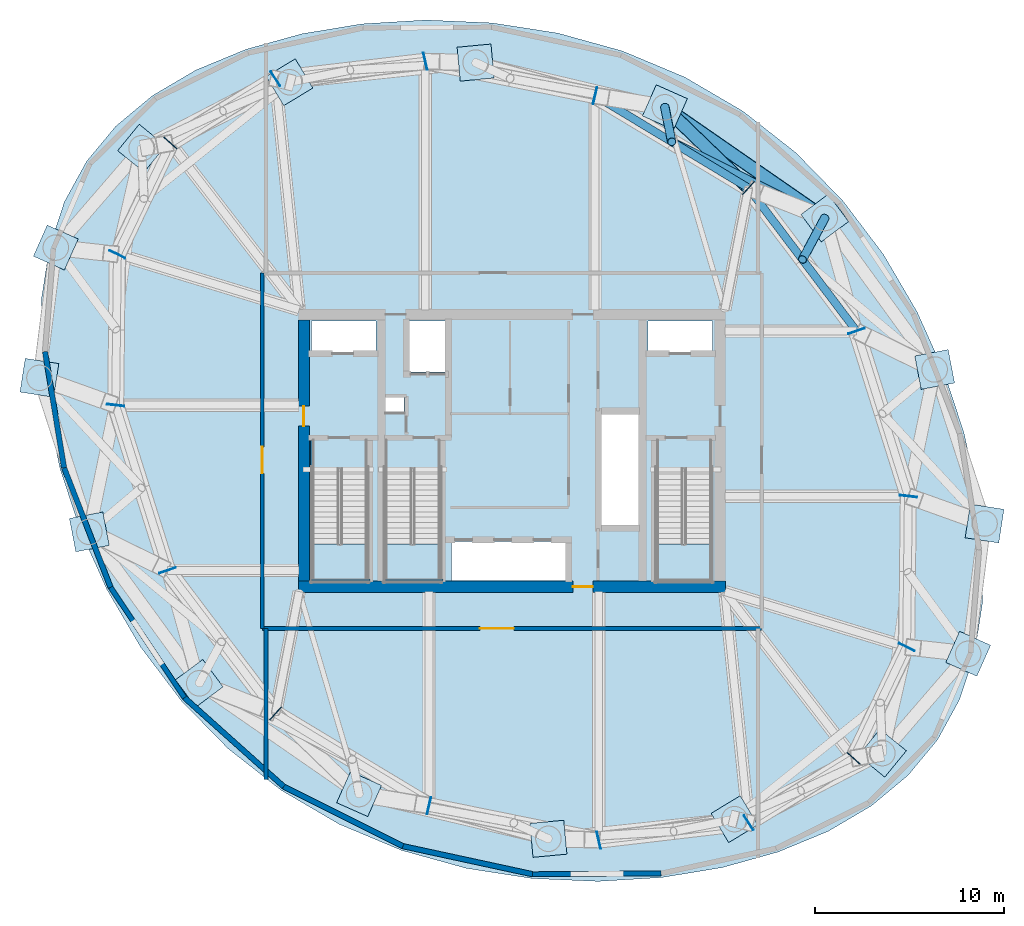
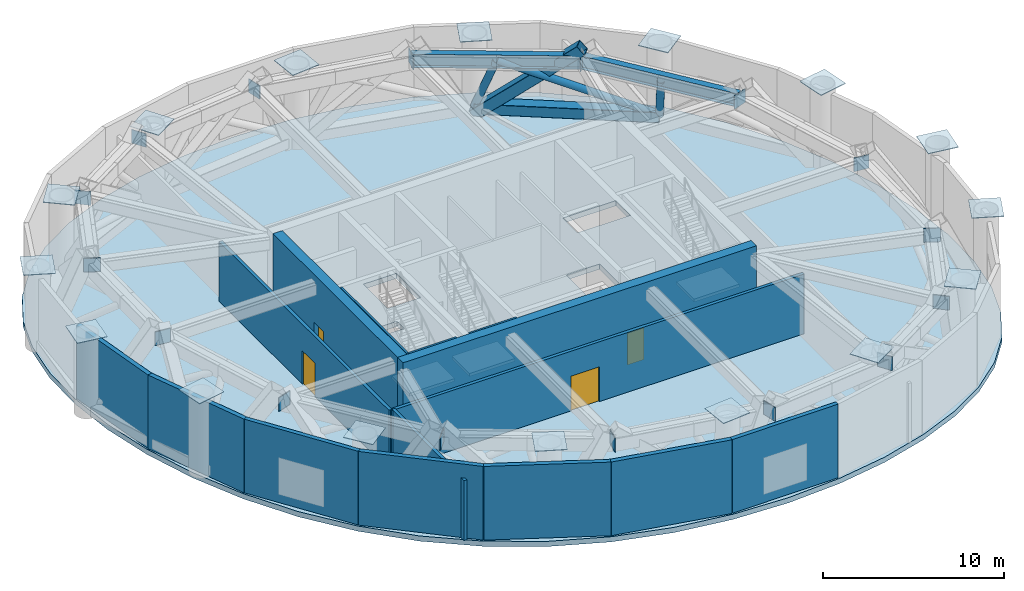
# One storey, part 4 of 10: 32 plates, 15 walls, 5 members, 4 doors, 4 slabs, 2 beams, 4 openings, 3 elements without a shape of their own.
"""IFC4 building model written with IfcOpenShell, lengths in metres."""

from ifc_helpers import new_model, si_unit, direction, frame, frame_2d, origin, origin_2d, place, context, subcontext, project, spatial, polyline, rectangle, hollow_rectangle, hollow_circle, i_section, outline, extrude, material, layer, layer_set, material_profile, profile_set, type_object, element, fill, aggregate, save


model = new_model("IFC4")

# Units and contexts
model_context = context("Model", 3, precision=1e-05, world=origin(), true_north=direction((0.0, 1.0)))
body_context = subcontext(model_context, "Body", "Model", "MODEL_VIEW")
ifc_project = project(units=[si_unit("LENGTHUNIT", "METRE"), si_unit("AREAUNIT", "SQUARE_METRE"), si_unit("VOLUMEUNIT", "CUBIC_METRE"), si_unit("PLANEANGLEUNIT", "RADIAN"), si_unit("MASSUNIT", "GRAM", prefix="KILO")], contexts=[model_context])

# Site, building, storey
site_placement = place(None, origin())
site = spatial("IfcSite", under=ifc_project, at=site_placement, CompositionType="ELEMENT")
building_placement = place(site_placement, origin())
building = spatial("IfcBuilding", under=site, at=building_placement, Name="Bramvorn Convention Spire", CompositionType="ELEMENT")
storey_placement = place(building_placement, frame((0.0, 0.0, 165.800048828125)))
storey = spatial("IfcBuildingStorey", under=building, at=storey_placement, Name="L42", CompositionType="ELEMENT", Elevation=165.800048828125)

# Beams
ifc_material_1 = material(Name="Steel CSA G40.21 Grade 350 (350W)", Category="steel")
ifc_material_profile_1 = material_profile(ifc_material_1, i_section(OverallWidth=0.41796875, OverallDepth=0.912109375, WebThickness=0.019287109375, FlangeThickness=0.031982421875, FilletRadius=0.02392578125, at=origin_2d()))
ifc_profile_set_1 = profile_set([ifc_material_profile_1], Name="Steel CSA G40.21 Grade 350 (350W) - W920X342")
beam_type = type_object("IfcBeamType", Name="BM-W920X342", PredefinedType="BEAM", material=ifc_profile_set_1)
for number, where, z_axis, x_axis, name in (
    (1, (56.21044921875, 32.327392578125, 4.52392578125), (-0.602718581414, 0.797953827999, 0.0), (-0.797953827999, -0.602718581414, 0.0), "L42 step-in transfer ring girder 04"),
    (2, (50.501953125, 39.885009765625, 4.52392578125), (-0.856581795745, 0.516011266543, 0.0), (-0.516011266543, -0.856581795745, 0.0), "L42 step-in transfer ring girder 05"),
):
    element("IfcBeam", number, at=place(storey_placement, frame(where, z_axis=z_axis, x_axis=x_axis)), inside=storey, type_object=beam_type, Name=name, PredefinedType="BEAM", context=body_context, shape_type="SweptSolid", body=[
        extrude(i_section(OverallWidth=0.41796875, OverallDepth=0.912109375, WebThickness=0.019287109375, FlangeThickness=0.031982421875, FilletRadius=0.02392578125, at=origin_2d()), origin(), (0.0, 0.0, 1.0), 9.47119140625),
    ])

# Members
ifc_material_profile_2 = material_profile(ifc_material_1, hollow_rectangle(XDim=0.699951171875, YDim=0.699951171875, WallThickness=0.034912109375, InnerFilletRadius=0.0009765625, OuterFilletRadius=0.034912109375, at=origin_2d()))
ifc_profile_set_2 = profile_set([ifc_material_profile_2], Name="Steel CSA G40.21 Grade 350 (350W) - BOX700X700X35")
member_type_1 = type_object("IfcMemberType", Name="MBR-BOX700X700X35", PredefinedType="CHORD", material=ifc_profile_set_2)
member_1_placement = place(storey_placement, frame((54.534912109375, 38.299072265625, 0.449951171875), z_axis=(-0.822033166673, 0.569439613032, 0.0), x_axis=(-0.569439613032, -0.822033166673, 0.0)))
element("IfcMember", 3, at=member_1_placement, inside=storey, type_object=member_type_1, Name="L42 belt truss bottom chord 4", PredefinedType="CHORD", context=body_context, shape_type="SweptSolid", body=[
    extrude(hollow_rectangle(XDim=0.699951171875, YDim=0.699951171875, WallThickness=0.034912109375, InnerFilletRadius=0.0009765625, OuterFilletRadius=0.034912109375, at=origin_2d()), origin(), (0.0, 0.0, 1.0), 10.281982421875),
])
member_2_placement = place(storey_placement, frame((46.082763671875, 44.154052734375, 0.0), z_axis=(0.540241156195, -0.521885910018, 0.66013225196), x_axis=(0.694783108655, 0.719219321158, 0.0)))
element("IfcMember", 4, at=member_2_placement, inside=storey, type_object=member_type_1, Name="L42 step-in secondary transfer strut MC05", PredefinedType="CHORD", context=body_context, shape_type="SweptSolid", body=[
    extrude(hollow_rectangle(XDim=0.699951171875, YDim=0.699951171875, WallThickness=0.034912109375, InnerFilletRadius=0.0009765625, OuterFilletRadius=0.034912109375, at=origin_2d()), origin(), (0.0, 0.0, 1.0), 8.179931640625),
])
ifc_material_profile_3 = material_profile(ifc_material_1, hollow_circle(Radius=0.228515625, WallThickness=0.01904296875, at=origin_2d()))
ifc_profile_set_3 = profile_set([ifc_material_profile_3], Name="Steel CSA G40.21 Grade 350 (350W) - CHS457X19")
member_type_2 = type_object("IfcMemberType", Name="MBR-CHS457X19", PredefinedType="BRACE", material=ifc_profile_set_3)
member_3_placement = place(storey_placement, frame((54.534912109375, 38.299072265625, 0.449951171875), z_axis=(-0.246610160592, -0.458792970678, 0.853634839231), x_axis=(0.880817240295, -0.473456427983, 0.0)))
element("IfcMember", 5, at=member_3_placement, inside=storey, type_object=member_type_2, Name="L42 ring belt diagonal 4B", PredefinedType="BRACE", context=body_context, shape_type="SweptSolid", body=[
    extrude(hollow_circle(Radius=0.228515625, WallThickness=0.01904296875, at=origin_2d()), origin(), (0.0, 0.0, 1.0), 4.779541015625),
])
member_4_placement = place(storey_placement, frame((54.534912109375, 38.299072265625, 0.449951171875), z_axis=(-0.815809514839, 0.406378223046, 0.411474878131), x_axis=(-0.445873177917, -0.895096145235, 0.0)))
element("IfcMember", 6, at=member_4_placement, inside=storey, type_object=member_type_2, Name="L42 ring belt diagonal 5A", PredefinedType="BRACE", context=body_context, shape_type="SweptSolid", body=[
    extrude(hollow_circle(Radius=0.228515625, WallThickness=0.01904296875, at=origin_2d()), origin(), (0.0, 0.0, 1.0), 9.915771484375),
])
member_5_placement = place(storey_placement, frame((46.082763671875, 44.154052734375, 0.449951171875), z_axis=(0.080899020883, -0.407053821763, 0.909814560561), x_axis=(0.980817088156, 0.194930345459, 0.0)))
element("IfcMember", 7, at=member_5_placement, inside=storey, type_object=member_type_2, Name="L42 ring belt diagonal 5B", PredefinedType="BRACE", context=body_context, shape_type="SweptSolid", body=[
    extrude(hollow_circle(Radius=0.228515625, WallThickness=0.01904296875, at=origin_2d()), origin(), (0.0, 0.0, 1.0), 4.484619140625),
])

# Plates
ifc_layer_1 = layer(ifc_material_1, 0.044921875)
ifc_layer_set_1 = layer_set([ifc_layer_1], Name="Steel CSA G40.21 Grade 350 (350W) - PLT-NODE-CAP-45")
plate_type_1 = type_object("IfcPlateType", Name="PLT-NODE-CAP-45", PredefinedType="SHEET", material=ifc_layer_set_1)
for number, where, z_axis, x_axis, name in (
    (8, (62.11767578125, 15.26220703125, 5.39990234375), (0.0, 0.0, 1.0), (0.913546123951, -0.40673514652, 0.0), "L42 CFT mega-column MC01 transition cap plate"),
    (9, (62.983642578125, 22.148193359375, 5.39990234375), (0.0, 0.0, 1.0), (0.988323766562, -0.152368410274, 0.0), "L42 CFT mega-column MC02 transition cap plate"),
    (10, (60.345703125, 30.293212890625, 5.39990234375), (0.0, 0.0, 1.0), (0.982040253969, 0.188671512384, 0.0), "L42 CFT mega-column MC03 transition cap plate"),
    (11, (54.534912109375, 38.299072265625, 5.39990234375), (0.0, 0.0, 1.0), (0.802371890462, 0.596824387401, 0.0), "L42 CFT mega-column MC04 transition cap plate"),
    (12, (46.082763671875, 44.154052734375, 5.39990234375), (0.0, 0.0, 1.0), (0.406737417797, 0.913545112714, 0.0), "L42 CFT mega-column MC05 transition cap plate"),
    (13, (36.075927734375, 46.517333984375, 5.39990234375), (0.0, 0.0, 1.0), (-0.093364459735, 0.995631999113, 0.0), "L42 CFT mega-column MC06 transition cap plate"),
    (14, (26.23828125, 45.478759765625, 5.39990234375), (0.0, 0.0, 1.0), (-0.516903736203, 0.856043531311, 0.0), "L42 CFT mega-column MC07 transition cap plate"),
    (15, (18.420166015625, 41.9892578125, 5.39990234375), (0.0, 0.0, 1.0), (-0.774550926347, 0.632511551274, 0.0), "L42 CFT mega-column MC08 transition cap plate"),
    (16, (13.88232421875, 36.73779296875, 5.39990234375), (0.0, 0.0, 1.0), (-0.913546123951, 0.40673514652, 0.0), "L42 CFT mega-column MC09 transition cap plate"),
    (17, (13.016357421875, 29.851806640625, 5.39990234375), (0.0, 0.0, 1.0), (-0.988323766562, 0.152368410274, 0.0), "L42 CFT mega-column MC10 transition cap plate"),
    (18, (15.654296875, 21.706787109375, 5.39990234375), (0.0, 0.0, 1.0), (-0.982040253969, -0.188671512384, 0.0), "L42 CFT mega-column MC11 transition cap plate"),
    (19, (21.465087890625, 13.700927734375, 5.39990234375), (0.0, 0.0, 1.0), (-0.802371890462, -0.596824387401, 0.0), "L42 CFT mega-column MC12 transition cap plate"),
    (20, (29.917236328125, 7.845947265625, 5.39990234375), (0.0, 0.0, 1.0), (-0.406737417797, -0.913545112714, 0.0), "L42 CFT mega-column MC13 transition cap plate"),
    (21, (39.924072265625, 5.482666015625, 5.39990234375), (0.0, 0.0, 1.0), (0.093364459735, -0.995631999113, 0.0), "L42 CFT mega-column MC14 transition cap plate"),
    (22, (49.76171875, 6.521240234375, 5.39990234375), (0.0, 0.0, 1.0), (0.516903736203, -0.856043531311, 0.0), "L42 CFT mega-column MC15 transition cap plate"),
    (23, (57.579833984375, 10.0107421875, 5.39990234375), (0.0, 0.0, 1.0), (0.774550926347, -0.632511551274, 0.0), "L42 CFT mega-column MC16 transition cap plate"),
):
    element("IfcPlate", number, at=place(storey_placement, frame(where, z_axis=z_axis, x_axis=x_axis)), inside=storey, type_object=plate_type_1, Name=name, PredefinedType="SHEET", context=body_context, shape_type="SweptSolid", body=[
        extrude(rectangle(XDim=1.800048828125, YDim=1.800048828125, at=origin_2d()), origin(), (0.0, 0.0, 1.0), 0.044921875),
    ])
ifc_layer_2 = layer(ifc_material_1, 0.044921875)
ifc_layer_set_2 = layer_set([ifc_layer_2], Name="Steel CSA G40.21 Grade 350 (350W) - PLT-TRUSS-CAP-45")
plate_type_2 = type_object("IfcPlateType", Name="PLT-TRUSS-CAP-45", PredefinedType="SHEET", material=ifc_layer_set_2)
for number, where, z_axis, x_axis, name in (
    (24, (56.058349609375, 9.739990234375, 4.070068359375), (0.0, 0.0, 1.0), (0.743143933143, -0.669131597395, 0.0), "Truss node KN-42-01 closed end-cap plate"),
    (25, (58.863037109375, 15.619384765625, 4.070068359375), (0.0, 0.0, 1.0), (0.895301760905, -0.445460163114, 0.0), "Truss node KN-42-02 closed end-cap plate"),
    (26, (58.95458984375, 23.593505859375, 4.070068359375), (0.0, 0.0, 1.0), (0.993469530113, -0.114097733269, 0.0), "Truss node KN-42-03 closed end-cap plate"),
    (27, (56.21044921875, 32.327392578125, 4.070068359375), (0.0, 0.0, 1.0), (0.944605422038, 0.328208160558, 0.0), "Truss node KN-42-04 closed end-cap plate"),
    (28, (50.501953125, 39.885009765625, 4.070068359375), (0.0, 0.0, 1.0), (0.669130011799, 0.743145360821, 0.0), "Truss node KN-42-05 closed end-cap plate"),
    (29, (42.38916015625, 44.772216796875, 4.070068359375), (0.0, 0.0, 1.0), (0.227669544295, 0.973738454926, 0.0), "Truss node KN-42-06 closed end-cap plate"),
    (30, (33.416259765625, 46.58837890625, 4.070068359375), (0.0, 0.0, 1.0), (-0.217319987046, 0.976100416571, 0.0), "Truss node KN-42-07 closed end-cap plate"),
    (31, (25.49560546875, 45.663818359375, 4.070068359375), (0.0, 0.0, 1.0), (-0.536605844798, 0.843833020999, 0.0), "Truss node KN-42-08 closed end-cap plate"),
    (32, (19.941650390625, 42.260009765625, 4.070068359375), (0.0, 0.0, 1.0), (-0.743143933143, 0.669131597395, 0.0), "Truss node KN-42-09 closed end-cap plate"),
    (33, (17.136962890625, 36.380615234375, 4.070068359375), (0.0, 0.0, 1.0), (-0.895301760905, 0.445460163114, 0.0), "Truss node KN-42-10 closed end-cap plate"),
    (34, (17.04541015625, 28.406494140625, 4.070068359375), (0.0, 0.0, 1.0), (-0.993469530113, 0.114097733269, 0.0), "Truss node KN-42-11 closed end-cap plate"),
    (35, (19.78955078125, 19.672607421875, 4.070068359375), (0.0, 0.0, 1.0), (-0.944605422038, -0.328208160558, 0.0), "Truss node KN-42-12 closed end-cap plate"),
    (36, (25.498046875, 12.114990234375, 4.070068359375), (0.0, 0.0, 1.0), (-0.669130011799, -0.743145360821, 0.0), "Truss node KN-42-13 closed end-cap plate"),
    (37, (33.61083984375, 7.227783203125, 4.070068359375), (0.0, 0.0, 1.0), (-0.227669544295, -0.973738454926, 0.0), "Truss node KN-42-14 closed end-cap plate"),
    (38, (42.583740234375, 5.41162109375, 4.070068359375), (0.0, 0.0, 1.0), (0.217319987046, -0.976100416571, 0.0), "Truss node KN-42-15 closed end-cap plate"),
    (39, (50.50439453125, 6.336181640625, 4.070068359375), (0.0, 0.0, 1.0), (0.536605844798, -0.843833020999, 0.0), "Truss node KN-42-16 closed end-cap plate"),
):
    element("IfcPlate", number, at=place(storey_placement, frame(where, z_axis=z_axis, x_axis=x_axis)), inside=storey, type_object=plate_type_2, Name=name, PredefinedType="SHEET", context=body_context, shape_type="SweptSolid", body=[
        extrude(rectangle(XDim=0.919921875, YDim=0.044921875, at=origin_2d()), origin(), (0.0, 0.0, 1.0), 0.919921875),
    ])

# Slab
ifc_material_2 = material(Name="Concrete C50/60", Category="concrete")
ifc_layer_3 = layer(ifc_material_2, 0.35009765625)
ifc_layer_set_3 = layer_set([ifc_layer_3], Name="Concrete C50/60 - SLB-PLT-350")
slab_type_1 = type_object("IfcSlabType", Name="SLB-PLT-350", PredefinedType="FLOOR", material=ifc_layer_set_3)
slab_1_placement = place(storey_placement, frame((0.0, 0.0, -0.35009765625)))
element("IfcSlab", 40, at=slab_1_placement, inside=storey, type_object=slab_type_1, Name="L42 tower floor slab", PredefinedType="FLOOR", context=body_context, shape_type="SweptSolid", body=[
    extrude(outline(polyline([(60.49658203125, 10.711181640625), (61.664794921875, 12.844482421875), (62.45166015625, 15.23681640625), (62.863037109375, 17.877197265625), (62.905517578125, 20.7392578125), (62.5830078125, 23.781494140625), (61.896240234375, 26.9443359375), (60.843994140625, 30.15478515625), (59.423828125, 33.32861328125), (57.637451171875, 36.376953125), (55.491455078125, 39.21337890625), (53.003173828125, 41.76025390625), (50.20166015625, 43.954345703125), (47.13037109375, 45.751220703125), (43.846435546875, 47.12744140625), (40.419189453125, 48.078369140625), (36.92724609375, 48.6171875), (33.45361328125, 48.769287109375), (30.081298828125, 48.56591796875), (26.8876953125, 48.0400390625), (23.9404296875, 47.219970703125), (21.294921875, 46.126953125), (18.991455078125, 44.772216796875), (17.056640625, 43.16015625), (15.50341796875, 41.288818359375), (14.335205078125, 39.155517578125), (13.54833984375, 36.76318359375), (13.136962890625, 34.122802734375), (13.094482421875, 31.2607421875), (13.4169921875, 28.218505859375), (14.103759765625, 25.0556640625), (15.156005859375, 21.84521484375), (16.576171875, 18.67138671875), (18.362548828125, 15.623046875), (20.508544921875, 12.78662109375), (22.996826171875, 10.23974609375), (25.79833984375, 8.045654296875), (28.86962890625, 6.248779296875), (32.153564453125, 4.87255859375), (35.580810546875, 3.921630859375), (39.07275390625, 3.3828125), (42.54638671875, 3.230712890625), (45.918701171875, 3.43408203125), (49.1123046875, 3.9599609375), (52.0595703125, 4.780029296875), (54.705078125, 5.873046875), (57.008544921875, 7.227783203125), (58.943359375, 8.83984375), (60.49658203125, 10.711181640625)]), holes=[polyline([(27.449951171875, 25.050048828125), (27.449951171875, 19.10009765625), (30.35009765625, 19.10009765625), (30.35009765625, 25.050048828125), (27.449951171875, 25.050048828125)]), polyline([(45.64990234375, 25.050048828125), (45.64990234375, 19.10009765625), (48.550048828125, 19.10009765625), (48.550048828125, 25.050048828125), (45.64990234375, 25.050048828125)]), polyline([(31.300048828125, 25.050048828125), (31.300048828125, 19.10009765625), (34.199951171875, 19.10009765625), (34.199951171875, 25.050048828125), (31.300048828125, 25.050048828125)]), polyline([(27.39990234375, 31.219970703125), (30.800048828125, 31.219970703125), (30.800048828125, 32.85009765625), (27.39990234375, 32.85009765625), (27.39990234375, 31.219970703125)]), polyline([(45.199951171875, 31.219970703125), (48.60009765625, 31.219970703125), (48.60009765625, 32.85009765625), (45.199951171875, 32.85009765625), (45.199951171875, 31.219970703125)]), polyline([(32.449951171875, 30.14990234375), (34.56005859375, 30.14990234375), (34.56005859375, 32.85009765625), (32.449951171875, 32.85009765625), (32.449951171875, 30.14990234375)]), polyline([(34.800048828125, 19.14990234375), (40.97998046875, 19.14990234375), (40.97998046875, 21.199951171875), (34.800048828125, 21.199951171875), (34.800048828125, 19.14990234375)]), polyline([(42.6201171875, 22.0), (44.75, 22.0), (44.75, 28.0), (42.6201171875, 28.0), (42.6201171875, 22.0)]), polyline([(31.320068359375, 28.02001953125), (32.280029296875, 28.02001953125), (32.280029296875, 28.820068359375), (31.320068359375, 28.820068359375), (31.320068359375, 28.02001953125)])]), origin(), (0.0, 0.0, 1.0), 0.35009765625),
])

# Stair, slab
ifc_material_3 = material(Name="Concrete C40/50 Precast Stair", Category="concrete")
stair_type = type_object("IfcStairType", Name="ST-TOWER-1550", PredefinedType="HALF_TURN_STAIR", material=ifc_material_3)
stair_1_placement = place(storey_placement, origin())
stair_1 = element("IfcStair", 41, at=stair_1_placement, inside=storey, type_object=stair_type, Name="L42 Protected Exit Stair ST1", PredefinedType="HALF_TURN_STAIR")
ifc_material_4 = material(Name="Concrete C40/50 Stair Landing", Category="concrete")
ifc_layer_4 = layer(ifc_material_4, 0.219970703125)
ifc_layer_set_4 = layer_set([ifc_layer_4], Name="Concrete C40/50 Stair Landing - SLB-STAIR-LANDING")
slab_type_2 = type_object("IfcSlabType", Name="SLB-STAIR-LANDING", PredefinedType="LANDING", material=ifc_layer_set_4)
slab_2_placement = place(storey_placement, frame((0.0, 0.0, 2.5)))
slab_2 = element("IfcSlab", 42, at=slab_2_placement, type_object=slab_type_2, Name="ST1 landing 1", PredefinedType="LANDING", context=body_context, shape_type="SweptSolid", body=[
    extrude(outline(polyline([(27.449951171875, 21.06005859375), (27.449951171875, 19.10009765625), (30.35009765625, 19.10009765625), (30.35009765625, 21.06005859375), (27.449951171875, 21.06005859375)])), origin(), (0.0, 0.0, 1.0), 0.199951171875),
])
aggregate(stair_1, [slab_2])

stair_2_placement = place(storey_placement, origin())
stair_2 = element("IfcStair", 43, at=stair_2_placement, inside=storey, type_object=stair_type, Name="L42 Protected Exit Stair ST2", PredefinedType="HALF_TURN_STAIR")
slab_3_placement = place(storey_placement, frame((0.0, 0.0, 2.5)))
slab_3 = element("IfcSlab", 44, at=slab_3_placement, type_object=slab_type_2, Name="ST2 landing 1", PredefinedType="LANDING", context=body_context, shape_type="SweptSolid", body=[
    extrude(outline(polyline([(45.64990234375, 21.06005859375), (45.64990234375, 19.10009765625), (48.550048828125, 19.10009765625), (48.550048828125, 21.06005859375), (45.64990234375, 21.06005859375)])), origin(), (0.0, 0.0, 1.0), 0.199951171875),
])
aggregate(stair_2, [slab_3])

stair_3_placement = place(storey_placement, origin())
stair_3 = element("IfcStair", 45, at=stair_3_placement, inside=storey, type_object=stair_type, Name="L42 Protected Exit Stair ST3", PredefinedType="HALF_TURN_STAIR")
slab_4_placement = place(storey_placement, frame((0.0, 0.0, 2.5)))
slab_4 = element("IfcSlab", 46, at=slab_4_placement, type_object=slab_type_2, Name="ST3 landing 1", PredefinedType="LANDING", context=body_context, shape_type="SweptSolid", body=[
    extrude(outline(polyline([(31.300048828125, 21.06005859375), (31.300048828125, 19.10009765625), (34.199951171875, 19.10009765625), (34.199951171875, 21.06005859375), (31.300048828125, 21.06005859375)])), origin(), (0.0, 0.0, 1.0), 0.199951171875),
])
aggregate(stair_3, [slab_4])

# Wall, opening, door
ifc_material_5 = material(Name="Concrete C60/70", Category="concrete")
ifc_layer_5 = layer(ifc_material_5, 0.60009765625)
ifc_layer_set_5 = layer_set([ifc_layer_5], Name="Concrete C60/70 - WL-CORE-600")
wall_type_1 = type_object("IfcWallType", Name="WL-CORE-600", PredefinedType="SHEAR", material=ifc_layer_set_5)
wall_1_placement = place(storey_placement, frame((26.699951171875, 18.800048828125, 0.0), z_axis=(0.0, 0.0, 1.0), x_axis=(1.0, 0.0, 0.0)))
wall_1 = element("IfcWall", 47, at=wall_1_placement, inside=storey, type_object=wall_type_1, Name="L42 South RC core shear wall", PredefinedType="SHEAR", context=body_context, shape_type="SweptSolid", body=[
    extrude(rectangle(XDim=22.60009765625, YDim=0.60009765625, at=frame_2d((11.300048828125, 0.0))), origin(), (0.0, 0.0, 1.0), 5.39990234375),
])
opening_1_placement = place(wall_1_placement, frame((14.52001953125, 0.0, 0.0)))
opening_1 = element("IfcOpeningElement", 48, at=opening_1_placement, cuts=wall_1, Name="Opening DL-105", PredefinedType="OPENING", context=body_context, shape_type="SweptSolid", body=[
    extrude(rectangle(XDim=1.050048828125, YDim=2.14990234375, at=frame_2d((0.52490234375, 1.074951171875))), frame((0.0, 0.31005859375, 0.0), z_axis=(0.0, -1.0, 0.0), x_axis=(1.0, 0.0, 0.0)), (0.0, 0.0, 1.0), 0.6201171875),
])
ifc_material_6 = material(Name="Smoke-Sealed Fire Lobby Timber-Core Door", Category="wood")
door_type_1 = type_object("IfcDoorType", Name="DR-LOBBY-1050", OperationType="NOTDEFINED", PredefinedType="DOOR", material=ifc_material_6)
door_1_placement = place(opening_1_placement, origin())
door_1 = element("IfcDoor", 49, at=door_1_placement, inside=storey, type_object=door_type_1, Name="L42 South Lift Lobby fire door", OperationType="SINGLE_SWING_RIGHT", OverallHeight=2.14990234375, OverallWidth=1.050048828125, PredefinedType="DOOR", context=body_context, shape_type="SweptSolid", body=[
    extrude(rectangle(XDim=1.050048828125, YDim=2.14990234375, at=frame_2d((0.52490234375, 1.074951171875))), frame((0.0, 0.02490234375, 0.0), z_axis=(0.0, -1.0, 0.0), x_axis=(1.0, 0.0, 0.0)), (0.0, 0.0, 1.0), 0.050048828125),
])
fill(opening_1, door_1)

wall_2_placement = place(storey_placement, frame((27.0, 19.10009765625, 0.0), z_axis=(0.0, 0.0, 1.0), x_axis=(0.0, 1.0, 0.0)))
wall_2 = element("IfcWall", 50, at=wall_2_placement, inside=storey, type_object=wall_type_1, Name="L42 West RC core shear wall", PredefinedType="SHEAR", context=body_context, shape_type="SweptSolid", body=[
    extrude(rectangle(XDim=13.7998046875, YDim=0.60009765625, at=frame_2d((6.89990234375, 0.0))), origin(), (0.0, 0.0, 1.0), 5.39990234375),
])
opening_2_placement = place(wall_2_placement, frame((8.199951171875, 0.0, 0.0)))
opening_2 = element("IfcOpeningElement", 51, at=opening_2_placement, cuts=wall_2, Name="Opening DL-105", PredefinedType="OPENING", context=body_context, shape_type="SweptSolid", body=[
    extrude(rectangle(XDim=1.050048828125, YDim=2.14990234375, at=frame_2d((0.52490234375, 1.074951171875))), frame((0.0, 0.31005859375, 0.0), z_axis=(0.0, -1.0, 0.0), x_axis=(1.0, 0.0, 0.0)), (0.0, 0.0, 1.0), 0.6201171875),
])
door_2_placement = place(opening_2_placement, origin())
door_2 = element("IfcDoor", 52, at=door_2_placement, inside=storey, type_object=door_type_1, Name="L42 West Firefighting Lobby corridor door", OperationType="SINGLE_SWING_RIGHT", OverallHeight=2.14990234375, OverallWidth=1.050048828125, PredefinedType="DOOR", context=body_context, shape_type="SweptSolid", body=[
    extrude(rectangle(XDim=1.050048828125, YDim=2.14990234375, at=frame_2d((0.52490234375, 1.074951171875))), frame((0.0, 0.02490234375, 0.0), z_axis=(0.0, -1.0, 0.0), x_axis=(1.0, 0.0, 0.0)), (0.0, 0.0, 1.0), 0.050048828125),
])
fill(opening_2, door_2)

# Walls
ifc_material_7 = material(Name="Precast Concrete C40/50 with Bronze Terracotta Rainscreen", Category="masonry")
ifc_layer_6 = layer(ifc_material_7, 0.300048828125)
ifc_layer_set_6 = layer_set([ifc_layer_6], Name="Precast Concrete C40/50 with Bronze Terracotta Rainscreen - WL-EXT-BRONZE-300")
wall_type_2 = type_object("IfcWallType", Name="WL-EXT-BRONZE-300", PredefinedType="SOLIDWALL", material=ifc_layer_set_6)
wall_3_placement = place(storey_placement, frame((14.31982421875, 25.0966796875, 0.0), z_axis=(0.0, 0.0, 1.0), x_axis=(-0.161975957602, 0.986794704667, 0.0)))
element("IfcWall", 53, at=wall_3_placement, inside=storey, type_object=wall_type_2, Name="L42 expressed bronze Gothic lancet pier wall 15", PredefinedType="SOLIDWALL", context=body_context, shape_type="SweptSolid", body=[
    extrude(rectangle(XDim=6.2265625, YDim=0.280029296875, at=frame_2d((3.11328125, 0.0))), origin(), (0.0, 0.0, 1.0), 4.97998046875),
])
wall_4_placement = place(storey_placement, frame((16.7783203125, 18.7734375, 0.0), z_axis=(0.0, 0.0, 1.0), x_axis=(-0.362376796982, 0.932031682406, 0.0)))
element("IfcWall", 54, at=wall_4_placement, inside=storey, type_object=wall_type_2, Name="L42 expressed bronze Gothic lancet pier wall 16", PredefinedType="SOLIDWALL", context=body_context, shape_type="SweptSolid", body=[
    extrude(rectangle(XDim=6.784423828125, YDim=0.280029296875, at=frame_2d((3.39208984375, 0.0))), origin(), (0.0, 0.0, 1.0), 4.97998046875),
])
for number, where, z_axis, x_axis, name in (
    (55, (25.931884765625, 8.2421875, 0.0), (0.0, 0.0, 1.0), (-0.74494941872, 0.667120951214, 0.0), "L42 expressed bronze Gothic lancet pier wall 18"),
    (56, (32.234130859375, 5.092529296875, 0.0), (0.0, 0.0, 1.0), (-0.89451034067, 0.447047257495, 0.0), "L42 expressed bronze Gothic lancet pier wall 19"),
):
    element("IfcWall", number, at=place(storey_placement, frame(where, z_axis=z_axis, x_axis=x_axis)), inside=storey, type_object=wall_type_2, Name=name, PredefinedType="SOLIDWALL", context=body_context, shape_type="SweptSolid", body=[
        extrude(rectangle(XDim=7.04541015625, YDim=0.280029296875, at=frame_2d((3.522705078125, 0.0))), origin(), (0.0, 0.0, 1.0), 4.97998046875),
    ])
wall_5_placement = place(storey_placement, frame((39.093017578125, 3.6083984375, 0.0), z_axis=(0.0, 0.0, 1.0), x_axis=(-0.97738094174, 0.211486393708, 0.0)))
element("IfcWall", 57, at=wall_5_placement, inside=storey, type_object=wall_type_2, Name="L42 expressed bronze Gothic lancet pier wall 20", PredefinedType="SOLIDWALL", context=body_context, shape_type="SweptSolid", body=[
    extrude(rectangle(XDim=7.017578125, YDim=0.280029296875, at=frame_2d((3.5087890625, 0.0))), origin(), (0.0, 0.0, 1.0), 4.97998046875),
])
ifc_material_8 = material(Name="Precast Concrete C40/50 Insulated Terrace Wall", Category="concrete")
ifc_layer_7 = layer(ifc_material_8, 0.280029296875)
ifc_layer_set_7 = layer_set([ifc_layer_7], Name="Precast Concrete C40/50 Insulated Terrace Wall - WL-EXT-TERR-280")
wall_type_3 = type_object("IfcWallType", Name="WL-EXT-TERR-280", PredefinedType="SOLIDWALL", material=ifc_layer_set_7)
wall_6_placement = place(storey_placement, frame((20.683349609375, 12.9423828125, 0.0), z_axis=(0.0, 0.0, 1.0), x_axis=(-0.556441078363, 0.830887071936, 0.0)))
element("IfcWall", 58, at=wall_6_placement, inside=storey, type_object=wall_type_3, Name="L42 plant floor acoustic louvre breast wall 17", PredefinedType="SOLIDWALL", context=body_context, shape_type="SweptSolid", body=[
    extrude(rectangle(XDim=7.017822265625, YDim=0.260009765625, at=frame_2d((3.5087890625, 0.0))), origin(), (0.0, 0.0, 1.0), 4.97998046875),
])
wall_7_placement = place(storey_placement, frame((45.87744140625, 3.650146484375, 0.0), z_axis=(0.0, 0.0, 1.0), x_axis=(-0.999981067671, -0.00615339748, 0.0)))
element("IfcWall", 59, at=wall_7_placement, inside=storey, type_object=wall_type_3, Name="L42 plant floor acoustic louvre breast wall 21", PredefinedType="SOLIDWALL", context=body_context, shape_type="SweptSolid", body=[
    extrude(rectangle(XDim=6.78466796875, YDim=0.260009765625, at=frame_2d((3.392333984375, 0.0))), origin(), (0.0, 0.0, 1.0), 4.97998046875),
])

# Wall, opening, door
ifc_material_9 = material(Name="Gypsum Shaftwall & Rockwool Core Partition", Category="gypsum")
ifc_layer_8 = layer(ifc_material_9, 0.199951171875)
ifc_layer_set_8 = layer_set([ifc_layer_8], Name="Gypsum Shaftwall & Rockwool Core Partition - WL-PART-200-FR")
wall_type_4 = type_object("IfcWallType", Name="WL-PART-200-FR", PredefinedType="PARTITIONING", material=ifc_layer_set_8)
wall_8_placement = place(storey_placement, frame((24.800048828125, 16.60009765625, 0.0), z_axis=(0.0, 0.0, 1.0), x_axis=(1.0, 0.0, 0.0)))
wall_8 = element("IfcWall", 60, at=wall_8_placement, inside=storey, type_object=wall_type_4, Name="L42 Refuge corridor south wall", PredefinedType="PARTITIONING", context=body_context, shape_type="SweptSolid", body=[
    extrude(rectangle(XDim=26.39990234375, YDim=0.199951171875, at=frame_2d((13.199951171875, 0.0))), origin(), (0.0, 0.0, 1.0), 4.0400390625),
])
opening_3_placement = place(wall_8_placement, frame((11.5, 0.0, 0.0)))
opening_3 = element("IfcOpeningElement", 61, at=opening_3_placement, cuts=wall_8, Name="Opening DH-180", PredefinedType="OPENING", context=body_context, shape_type="SweptSolid", body=[
    extrude(rectangle(XDim=1.800048828125, YDim=2.35009765625, at=frame_2d((0.89990234375, 1.175048828125))), frame((0.0, 0.10986328125, 0.0), z_axis=(0.0, -1.0, 0.0), x_axis=(1.0, 0.0, 0.0)), (0.0, 0.0, 1.0), 0.219970703125),
])
ifc_material_10 = material(Name="Double-Leaf Acoustic Assembly Hall Door", Category="wood")
door_type_2 = type_object("IfcDoorType", Name="DR-HALL-1800", OperationType="NOTDEFINED", PredefinedType="DOOR", material=ifc_material_10)
door_3_placement = place(opening_3_placement, origin())
door_3 = element("IfcDoor", 62, at=door_3_placement, inside=storey, type_object=door_type_2, Name="L42 Pressurised Area of Refuge door", OperationType="DOUBLE_DOOR_SINGLE_SWING", OverallHeight=2.35009765625, OverallWidth=1.800048828125, PredefinedType="DOOR", context=body_context, shape_type="SweptSolid", body=[
    extrude(rectangle(XDim=1.800048828125, YDim=2.35009765625, at=frame_2d((0.89990234375, 1.175048828125))), frame((0.0, 0.02490234375, 0.0), z_axis=(0.0, -1.0, 0.0), x_axis=(1.0, 0.0, 0.0)), (0.0, 0.0, 1.0), 0.050048828125),
])
fill(opening_3, door_3)

wall_9_placement = place(storey_placement, frame((24.800048828125, 16.60009765625, 0.0), z_axis=(0.0, 0.0, 1.0), x_axis=(0.0, 1.0, 0.0)))
wall_9 = element("IfcWall", 63, at=wall_9_placement, inside=storey, type_object=wall_type_4, Name="L42 Plant corridor west wall", PredefinedType="PARTITIONING", context=body_context, shape_type="SweptSolid", body=[
    extrude(rectangle(XDim=18.7998046875, YDim=0.199951171875, at=frame_2d((9.39990234375, 0.0))), origin(), (0.0, 0.0, 1.0), 4.0400390625),
])
opening_4_placement = place(wall_9_placement, frame((8.199951171875, 0.0, 0.0)))
opening_4 = element("IfcOpeningElement", 64, at=opening_4_placement, cuts=wall_9, Name="Opening DP-140", PredefinedType="OPENING", context=body_context, shape_type="SweptSolid", body=[
    extrude(rectangle(XDim=1.39990234375, YDim=2.25, at=frame_2d((0.699951171875, 1.125))), frame((0.0, 0.10986328125, 0.0), z_axis=(0.0, -1.0, 0.0), x_axis=(1.0, 0.0, 0.0)), (0.0, 0.0, 1.0), 0.219970703125),
])
ifc_material_11 = material(Name="Heavy-Duty Acoustic Louvre Plant Room Door", Category="steel")
door_type_3 = type_object("IfcDoorType", Name="DR-PLANT-1400", OperationType="NOTDEFINED", PredefinedType="DOOR", material=ifc_material_11)
door_4_placement = place(opening_4_placement, origin())
door_4 = element("IfcDoor", 65, at=door_4_placement, inside=storey, type_object=door_type_3, Name="L42 Hydronic Booster & Heat-Exchanger Plant door", OperationType="DOUBLE_DOOR_SINGLE_SWING", OverallHeight=2.25, OverallWidth=1.39990234375, PredefinedType="DOOR", context=body_context, shape_type="SweptSolid", body=[
    extrude(rectangle(XDim=1.39990234375, YDim=2.25, at=frame_2d((0.699951171875, 1.125))), frame((0.0, 0.02490234375, 0.0), z_axis=(0.0, -1.0, 0.0), x_axis=(1.0, 0.0, 0.0)), (0.0, 0.0, 1.0), 0.050048828125),
])
fill(opening_4, door_4)

# Walls
wall_10_placement = place(storey_placement, frame((25.0, 8.6298828125, 0.0), z_axis=(0.0, 0.0, 1.0), x_axis=(0.0, 1.0, 0.0)))
element("IfcWall", 66, at=wall_10_placement, inside=storey, type_object=wall_type_4, Name="L42 Compartment fire wall", PredefinedType="PARTITIONING", context=body_context, shape_type="SweptSolid", body=[
    extrude(rectangle(XDim=7.97021484375, YDim=0.199951171875, at=frame_2d((3.985107421875, 0.0))), origin(), (0.0, 0.0, 1.0), 4.0400390625),
])
ifc_layer_9 = layer(ifc_material_2, 0.1201171875)
ifc_layer_set_9 = layer_set([ifc_layer_9], Name="Concrete C50/60 - WL-STAIR-RC-120")
wall_type_5 = type_object("IfcWallType", Name="WL-STAIR-RC-120", PredefinedType="SHEAR", material=ifc_layer_set_9)
wall_11_placement = place(storey_placement, frame((27.39501953125, 19.10009765625, 0.0), z_axis=(0.0, 0.0, 1.0), x_axis=(0.0, 1.0, 0.0)))
element("IfcWall", 67, at=wall_11_placement, inside=storey, type_object=wall_type_5, Name="L42 ST1 west bearing shear wall", PredefinedType="SHEAR", context=body_context, shape_type="SweptSolid", body=[
    extrude(rectangle(XDim=7.449951171875, YDim=0.1201171875, at=frame_2d((3.72509765625, 0.0))), origin(), (0.0, 0.0, 1.0), 5.39990234375),
])
wall_12_placement = place(storey_placement, frame((27.39501953125, 19.159912109375, 0.0), z_axis=(0.0, 0.0, 1.0), x_axis=(1.0, 0.0, 0.0)))
element("IfcWall", 68, at=wall_12_placement, inside=storey, type_object=wall_type_5, Name="L42 ST1 south bearing shear wall", PredefinedType="SHEAR", context=body_context, shape_type="SweptSolid", body=[
    extrude(rectangle(XDim=3.094970703125, YDim=0.1201171875, at=frame_2d((1.54736328125, 0.0))), origin(), (0.0, 0.0, 1.0), 5.39990234375),
])
wall_13_placement = place(storey_placement, frame((31.300048828125, 19.159912109375, 0.0), z_axis=(0.0, 0.0, 1.0), x_axis=(1.0, 0.0, 0.0)))
element("IfcWall", 69, at=wall_13_placement, inside=storey, type_object=wall_type_5, Name="L42 ST3 south bearing shear wall", PredefinedType="SHEAR", context=body_context, shape_type="SweptSolid", body=[
    extrude(rectangle(XDim=3.0400390625, YDim=0.1201171875, at=frame_2d((1.52001953125, 0.0))), origin(), (0.0, 0.0, 1.0), 5.39990234375),
])

save(model, "model.ifc")
